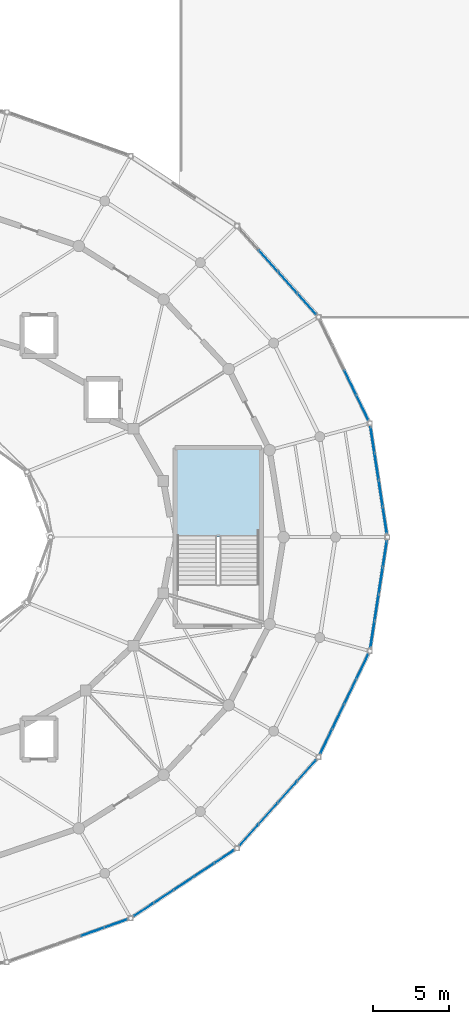
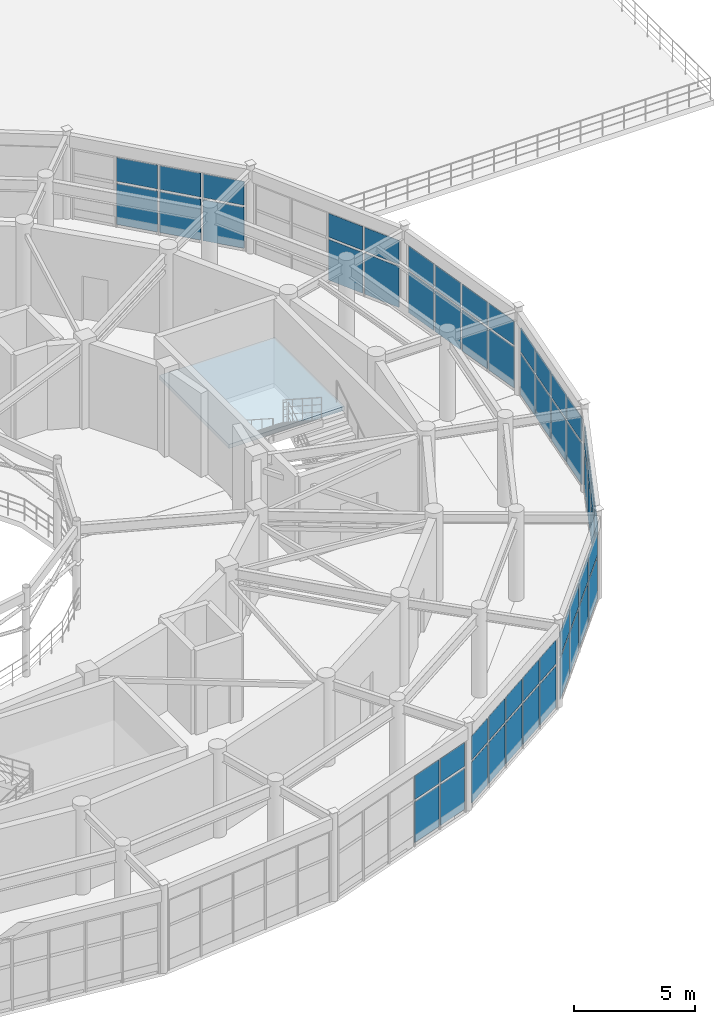
# One storey, part 35 of 60: 56 plates, 1 slab, 9 elements without a shape of their own.
"""IFC4 building model written with IfcOpenShell, lengths in metres."""

from ifc_helpers import new_model, si_unit, direction, frame, origin, origin_2d, place, context, subcontext, project, spatial, polyline, rectangle, outline, extrude, material, layer, layer_set, type_object, element, aggregate, save


model = new_model("IFC4")

# Units and contexts
model_context = context("Model", 3, precision=1e-05, world=origin(), true_north=direction((0.0, 1.0)))
body_context = subcontext(model_context, "Body", "Model", "MODEL_VIEW")
ifc_project = project(units=[si_unit("LENGTHUNIT", "METRE"), si_unit("AREAUNIT", "SQUARE_METRE"), si_unit("VOLUMEUNIT", "CUBIC_METRE"), si_unit("PLANEANGLEUNIT", "RADIAN"), si_unit("MASSUNIT", "GRAM", prefix="KILO")], contexts=[model_context])

# Site, building, storey
site_placement = place(None, origin())
site = spatial("IfcSite", under=ifc_project, at=site_placement, CompositionType="ELEMENT")
building_placement = place(site_placement, origin())
building = spatial("IfcBuilding", under=site, at=building_placement, Name="Cinderbank Siding Concert Hall", CompositionType="ELEMENT")
storey_placement = place(building_placement, frame((0.0, 0.0, 14.699951171875)))
storey = spatial("IfcBuildingStorey", under=building, at=storey_placement, Name="L04", CompositionType="ELEMENT", Elevation=14.699951171875)

# Curtain wall, plates
ifc_material_1 = material(Name="Anodised aluminium alloy 6063-T6", Category="aluminium")
curtain_wall_type_1 = type_object("IfcCurtainWallType", Name="CW-01 Unitised Acoustic Curtain Wall 8200x4400", PredefinedType="NOTDEFINED", material=ifc_material_1)
curtain_wall_1_placement = place(storey_placement, origin())
curtain_wall_1 = element("IfcCurtainWall", 1, at=curtain_wall_1_placement, inside=storey, type_object=curtain_wall_type_1, Name="L04 Curtain Wall CW-01 #49", PredefinedType="NOTDEFINED")
ifc_material_2 = material(Name="Double-glazed laminated acoustic glass", Category="glass")
ifc_layer_1 = layer(ifc_material_2, 0.035888671875)
ifc_layer_set_1 = layer_set([ifc_layer_1], Name="Double-glazed laminated acoustic glass")
plate_type_1 = type_object("IfcPlateType", Name="CP-02 Glazed Curtain Panel 1800x1900", PredefinedType="CURTAIN_PANEL", material=ifc_layer_set_1)
plate_1_placement = place(storey_placement, frame((155.430908203125, 45.10009765625, 0.1201171875), z_axis=(0.0, 0.0, 1.0), x_axis=(-0.151815048473, 0.988408918949, 0.0)))
plate_1 = element("IfcPlate", 2, at=plate_1_placement, type_object=plate_type_1, Name="CW-L04-049 Glazed Panel 0-0", PredefinedType="CURTAIN_PANEL", context=body_context, shape_type="SweptSolid", body=[
    extrude(rectangle(XDim=1.671875, YDim=0.035888671875, at=origin_2d()), origin(), (0.0, 0.0, 1.0), 2.0625),
])
plate_2_placement = place(storey_placement, frame((155.430908203125, 45.10009765625, 2.302734375), z_axis=(0.0, 0.0, 1.0), x_axis=(-0.151815048473, 0.988408918949, 0.0)))
plate_2 = element("IfcPlate", 3, at=plate_2_placement, type_object=plate_type_1, Name="CW-L04-049 Glazed Panel 0-1", PredefinedType="CURTAIN_PANEL", context=body_context, shape_type="SweptSolid", body=[
    extrude(rectangle(XDim=1.671875, YDim=0.035888671875, at=origin_2d()), origin(), (0.0, 0.0, 1.0), 1.194580078125),
])
plate_3_placement = place(storey_placement, frame((155.162109375, 46.851318359375, 0.1201171875), z_axis=(0.0, 0.0, 1.0), x_axis=(-0.151815048473, 0.988408918949, 0.0)))
plate_3 = element("IfcPlate", 4, at=plate_3_placement, type_object=plate_type_1, Name="CW-L04-049 Glazed Panel 1-0", PredefinedType="CURTAIN_PANEL", context=body_context, shape_type="SweptSolid", body=[
    extrude(rectangle(XDim=1.671875, YDim=0.035888671875, at=origin_2d()), origin(), (0.0, 0.0, 1.0), 2.0625),
])
plate_4_placement = place(storey_placement, frame((155.162109375, 46.851318359375, 2.302734375), z_axis=(0.0, 0.0, 1.0), x_axis=(-0.151815048473, 0.988408918949, 0.0)))
plate_4 = element("IfcPlate", 5, at=plate_4_placement, type_object=plate_type_1, Name="CW-L04-049 Glazed Panel 1-1", PredefinedType="CURTAIN_PANEL", context=body_context, shape_type="SweptSolid", body=[
    extrude(rectangle(XDim=1.671875, YDim=0.035888671875, at=origin_2d()), origin(), (0.0, 0.0, 1.0), 1.194580078125),
])
plate_5_placement = place(storey_placement, frame((154.89306640625, 48.602783203125, 0.1201171875), z_axis=(0.0, 0.0, 1.0), x_axis=(-0.151815048473, 0.988408918949, 0.0)))
plate_5 = element("IfcPlate", 6, at=plate_5_placement, type_object=plate_type_1, Name="CW-L04-049 Glazed Panel 2-0", PredefinedType="CURTAIN_PANEL", context=body_context, shape_type="SweptSolid", body=[
    extrude(rectangle(XDim=1.671875, YDim=0.035888671875, at=origin_2d()), origin(), (0.0, 0.0, 1.0), 2.0625),
])
plate_6_placement = place(storey_placement, frame((154.89306640625, 48.602783203125, 2.302734375), z_axis=(0.0, 0.0, 1.0), x_axis=(-0.151815048473, 0.988408918949, 0.0)))
plate_6 = element("IfcPlate", 7, at=plate_6_placement, type_object=plate_type_1, Name="CW-L04-049 Glazed Panel 2-1", PredefinedType="CURTAIN_PANEL", context=body_context, shape_type="SweptSolid", body=[
    extrude(rectangle(XDim=1.671875, YDim=0.035888671875, at=origin_2d()), origin(), (0.0, 0.0, 1.0), 1.194580078125),
])
plate_7_placement = place(storey_placement, frame((154.6240234375, 50.35400390625, 0.1201171875), z_axis=(0.0, 0.0, 1.0), x_axis=(-0.151815048473, 0.988408918949, 0.0)))
plate_7 = element("IfcPlate", 8, at=plate_7_placement, type_object=plate_type_1, Name="CW-L04-049 Glazed Panel 3-0", PredefinedType="CURTAIN_PANEL", context=body_context, shape_type="SweptSolid", body=[
    extrude(rectangle(XDim=1.671875, YDim=0.035888671875, at=origin_2d()), origin(), (0.0, 0.0, 1.0), 2.0625),
])
plate_8_placement = place(storey_placement, frame((154.6240234375, 50.35400390625, 2.302734375), z_axis=(0.0, 0.0, 1.0), x_axis=(-0.151815048473, 0.988408918949, 0.0)))
plate_8 = element("IfcPlate", 9, at=plate_8_placement, type_object=plate_type_1, Name="CW-L04-049 Glazed Panel 3-1", PredefinedType="CURTAIN_PANEL", context=body_context, shape_type="SweptSolid", body=[
    extrude(rectangle(XDim=1.671875, YDim=0.035888671875, at=origin_2d()), origin(), (0.0, 0.0, 1.0), 1.194580078125),
])
aggregate(curtain_wall_1, [plate_1, plate_2, plate_3, plate_4, plate_5, plate_6, plate_7, plate_8])

curtain_wall_type_2 = type_object("IfcCurtainWallType", Name="CW-02 Unitised Acoustic Curtain Wall 7800x4400", PredefinedType="NOTDEFINED", material=ifc_material_1)
curtain_wall_2_placement = place(storey_placement, origin())
curtain_wall_2 = element("IfcCurtainWall", 10, at=curtain_wall_2_placement, inside=storey, type_object=curtain_wall_type_2, Name="L04 Curtain Wall CW-02 #50", PredefinedType="NOTDEFINED")
ifc_layer_2 = layer(ifc_material_2, 0.035888671875)
ifc_layer_set_2 = layer_set([ifc_layer_2], Name="Double-glazed laminated acoustic glass")
plate_type_2 = type_object("IfcPlateType", Name="CP-03 Glazed Curtain Panel 1600x2100", PredefinedType="CURTAIN_PANEL", material=ifc_layer_set_2)
plate_9_placement = place(storey_placement, frame((153.96142578125, 52.4755859375, 0.1201171875), z_axis=(0.0, 0.0, 1.0), x_axis=(-0.435102109714, 0.900381116041, 0.0)))
plate_9 = element("IfcPlate", 11, at=plate_9_placement, type_object=plate_type_2, Name="CW-L04-050 Glazed Panel 0-0", PredefinedType="CURTAIN_PANEL", context=body_context, shape_type="SweptSolid", body=[
    extrude(rectangle(XDim=1.715087890625, YDim=0.035888671875, at=origin_2d()), origin(), (0.0, 0.0, 1.0), 2.0625),
])
plate_10_placement = place(storey_placement, frame((153.96142578125, 52.4755859375, 2.302734375), z_axis=(0.0, 0.0, 1.0), x_axis=(-0.435102109714, 0.900381116041, 0.0)))
plate_10 = element("IfcPlate", 12, at=plate_10_placement, type_object=plate_type_2, Name="CW-L04-050 Glazed Panel 0-1", PredefinedType="CURTAIN_PANEL", context=body_context, shape_type="SweptSolid", body=[
    extrude(rectangle(XDim=1.715087890625, YDim=0.035888671875, at=origin_2d()), origin(), (0.0, 0.0, 1.0), 1.194580078125),
])
plate_11_placement = place(storey_placement, frame((153.171630859375, 54.10986328125, 0.1201171875), z_axis=(0.0, 0.0, 1.0), x_axis=(-0.435102109714, 0.900381116041, 0.0)))
plate_11 = element("IfcPlate", 13, at=plate_11_placement, type_object=plate_type_2, Name="CW-L04-050 Glazed Panel 1-0", PredefinedType="CURTAIN_PANEL", context=body_context, shape_type="SweptSolid", body=[
    extrude(rectangle(XDim=1.715087890625, YDim=0.035888671875, at=origin_2d()), origin(), (0.0, 0.0, 1.0), 2.0625),
])
plate_12_placement = place(storey_placement, frame((153.171630859375, 54.10986328125, 2.302734375), z_axis=(0.0, 0.0, 1.0), x_axis=(-0.435102109714, 0.900381116041, 0.0)))
plate_12 = element("IfcPlate", 14, at=plate_12_placement, type_object=plate_type_2, Name="CW-L04-050 Glazed Panel 1-1", PredefinedType="CURTAIN_PANEL", context=body_context, shape_type="SweptSolid", body=[
    extrude(rectangle(XDim=1.715087890625, YDim=0.035888671875, at=origin_2d()), origin(), (0.0, 0.0, 1.0), 1.194580078125),
])
aggregate(curtain_wall_2, [plate_9, plate_10, plate_11, plate_12])

curtain_wall_type_3 = type_object("IfcCurtainWallType", Name="CW-03 Unitised Acoustic Curtain Wall 7400x4400", PredefinedType="NOTDEFINED", material=ifc_material_1)
curtain_wall_3_placement = place(storey_placement, origin())
curtain_wall_3 = element("IfcCurtainWall", 15, at=curtain_wall_3_placement, inside=storey, type_object=curtain_wall_type_3, Name="L04 Curtain Wall CW-03 #51", PredefinedType="NOTDEFINED")
ifc_layer_3 = layer(ifc_material_2, 0.031982421875)
ifc_layer_set_3 = layer_set([ifc_layer_3], Name="Double-glazed laminated acoustic glass")
plate_type_3 = type_object("IfcPlateType", Name="CP-04 Glazed Curtain Panel 1400x2000", PredefinedType="CURTAIN_PANEL", material=ifc_layer_set_3)
plate_13_placement = place(storey_placement, frame((150.3173828125, 59.2724609375, 0.1201171875), z_axis=(0.0, 0.0, 1.0), x_axis=(-0.666993465338, 0.745063565877, 0.0)))
plate_13 = element("IfcPlate", 16, at=plate_13_placement, type_object=plate_type_3, Name="CW-L04-051 Glazed Panel 0-0", PredefinedType="CURTAIN_PANEL", context=body_context, shape_type="SweptSolid", body=[
    extrude(rectangle(XDim=1.787841796875, YDim=0.035888671875, at=origin_2d()), origin(), (0.0, 0.0, 1.0), 2.0625),
])
plate_14_placement = place(storey_placement, frame((150.3173828125, 59.2724609375, 2.302734375), z_axis=(0.0, 0.0, 1.0), x_axis=(-0.666993465338, 0.745063565877, 0.0)))
plate_14 = element("IfcPlate", 17, at=plate_14_placement, type_object=plate_type_3, Name="CW-L04-051 Glazed Panel 0-1", PredefinedType="CURTAIN_PANEL", context=body_context, shape_type="SweptSolid", body=[
    extrude(rectangle(XDim=1.787841796875, YDim=0.035888671875, at=origin_2d()), origin(), (0.0, 0.0, 1.0), 1.194580078125),
])
plate_15_placement = place(storey_placement, frame((149.058349609375, 60.678955078125, 0.1201171875), z_axis=(0.0, 0.0, 1.0), x_axis=(-0.666993465338, 0.745063565877, 0.0)))
plate_15 = element("IfcPlate", 18, at=plate_15_placement, type_object=plate_type_3, Name="CW-L04-051 Glazed Panel 1-0", PredefinedType="CURTAIN_PANEL", context=body_context, shape_type="SweptSolid", body=[
    extrude(rectangle(XDim=1.787841796875, YDim=0.035888671875, at=origin_2d()), origin(), (0.0, 0.0, 1.0), 2.0625),
])
plate_16_placement = place(storey_placement, frame((149.058349609375, 60.678955078125, 2.302734375), z_axis=(0.0, 0.0, 1.0), x_axis=(-0.666993465338, 0.745063565877, 0.0)))
plate_16 = element("IfcPlate", 19, at=plate_16_placement, type_object=plate_type_3, Name="CW-L04-051 Glazed Panel 1-1", PredefinedType="CURTAIN_PANEL", context=body_context, shape_type="SweptSolid", body=[
    extrude(rectangle(XDim=1.787841796875, YDim=0.035888671875, at=origin_2d()), origin(), (0.0, 0.0, 1.0), 1.194580078125),
])
plate_17_placement = place(storey_placement, frame((147.799072265625, 62.085693359375, 0.1201171875), z_axis=(0.0, 0.0, 1.0), x_axis=(-0.666993465338, 0.745063565877, 0.0)))
plate_17 = element("IfcPlate", 20, at=plate_17_placement, type_object=plate_type_3, Name="CW-L04-051 Glazed Panel 2-0", PredefinedType="CURTAIN_PANEL", context=body_context, shape_type="SweptSolid", body=[
    extrude(rectangle(XDim=1.787841796875, YDim=0.035888671875, at=origin_2d()), origin(), (0.0, 0.0, 1.0), 2.0625),
])
plate_18_placement = place(storey_placement, frame((147.799072265625, 62.085693359375, 2.302734375), z_axis=(0.0, 0.0, 1.0), x_axis=(-0.666993465338, 0.745063565877, 0.0)))
plate_18 = element("IfcPlate", 21, at=plate_18_placement, type_object=plate_type_3, Name="CW-L04-051 Glazed Panel 2-1", PredefinedType="CURTAIN_PANEL", context=body_context, shape_type="SweptSolid", body=[
    extrude(rectangle(XDim=1.787841796875, YDim=0.035888671875, at=origin_2d()), origin(), (0.0, 0.0, 1.0), 1.194580078125),
])
aggregate(curtain_wall_3, [plate_13, plate_14, plate_15, plate_16, plate_17, plate_18])

curtain_wall_type_4 = type_object("IfcCurtainWallType", Name="CW-08 Unitised Acoustic Curtain Wall 6400x3800", PredefinedType="NOTDEFINED", material=ifc_material_1)
curtain_wall_4_placement = place(storey_placement, origin())
curtain_wall_4 = element("IfcCurtainWall", 22, at=curtain_wall_4_placement, inside=storey, type_object=curtain_wall_type_4, Name="L04 Curtain Wall CW-08 #67", PredefinedType="NOTDEFINED")
plate_19_placement = place(storey_placement, frame((136.283203125, 18.1650390625, 0.1201171875), z_axis=(0.0, 0.0, 1.0), x_axis=(0.942365662238, 0.334584755532, 0.0)))
plate_19 = element("IfcPlate", 23, at=plate_19_placement, type_object=plate_type_3, Name="CW-L04-067 Glazed Panel 3-0", PredefinedType="CURTAIN_PANEL", context=body_context, shape_type="SweptSolid", body=[
    extrude(rectangle(XDim=1.529052734375, YDim=0.035888671875, at=origin_2d()), origin(), (0.0, 0.0, 1.0), 2.0625),
])
plate_20_placement = place(storey_placement, frame((136.283203125, 18.1650390625, 2.302734375), z_axis=(0.0, 0.0, 1.0), x_axis=(0.942365662238, 0.334584755532, 0.0)))
plate_20 = element("IfcPlate", 24, at=plate_20_placement, type_object=plate_type_3, Name="CW-L04-067 Glazed Panel 3-1", PredefinedType="CURTAIN_PANEL", context=body_context, shape_type="SweptSolid", body=[
    extrude(rectangle(XDim=1.529052734375, YDim=0.035888671875, at=origin_2d()), origin(), (0.0, 0.0, 1.0), 1.194580078125),
])
plate_21_placement = place(storey_placement, frame((137.818603515625, 18.7099609375, 0.1201171875), z_axis=(0.0, 0.0, 1.0), x_axis=(0.942365662238, 0.334584755532, 0.0)))
plate_21 = element("IfcPlate", 25, at=plate_21_placement, type_object=plate_type_3, Name="CW-L04-067 Glazed Panel 4-0", PredefinedType="CURTAIN_PANEL", context=body_context, shape_type="SweptSolid", body=[
    extrude(rectangle(XDim=1.529052734375, YDim=0.035888671875, at=origin_2d()), origin(), (0.0, 0.0, 1.0), 2.0625),
])
plate_22_placement = place(storey_placement, frame((137.818603515625, 18.7099609375, 2.302734375), z_axis=(0.0, 0.0, 1.0), x_axis=(0.942365662238, 0.334584755532, 0.0)))
plate_22 = element("IfcPlate", 26, at=plate_22_placement, type_object=plate_type_3, Name="CW-L04-067 Glazed Panel 4-1", PredefinedType="CURTAIN_PANEL", context=body_context, shape_type="SweptSolid", body=[
    extrude(rectangle(XDim=1.529052734375, YDim=0.035888671875, at=origin_2d()), origin(), (0.0, 0.0, 1.0), 1.194580078125),
])
aggregate(curtain_wall_4, [plate_19, plate_20, plate_21, plate_22])

curtain_wall_type_5 = type_object("IfcCurtainWallType", Name="CW-09 Unitised Acoustic Curtain Wall 8000x3500", PredefinedType="NOTDEFINED", material=ifc_material_1)
curtain_wall_5_placement = place(storey_placement, origin())
curtain_wall_5 = element("IfcCurtainWall", 27, at=curtain_wall_5_placement, inside=storey, type_object=curtain_wall_type_5, Name="L04 Curtain Wall CW-09 #68", PredefinedType="NOTDEFINED")
ifc_layer_4 = layer(ifc_material_2, 0.031982421875)
ifc_layer_set_4 = layer_set([ifc_layer_4], Name="Double-glazed laminated acoustic glass")
plate_type_4 = type_object("IfcPlateType", Name="CP-05 Glazed Curtain Panel 1200x1800", PredefinedType="CURTAIN_PANEL", material=ifc_layer_set_4)
plate_23_placement = place(storey_placement, frame((139.647705078125, 19.615966796875, 0.1201171875), z_axis=(0.0, 0.0, 1.0), x_axis=(0.835491932304, 0.549502712509, 0.0)))
plate_23 = element("IfcPlate", 28, at=plate_23_placement, type_object=plate_type_4, Name="CW-L04-068 Glazed Panel 0-0", PredefinedType="CURTAIN_PANEL", context=body_context, shape_type="SweptSolid", body=[
    extrude(rectangle(XDim=1.47509765625, YDim=0.035888671875, at=origin_2d()), origin(), (0.0, 0.0, 1.0), 2.0625),
])
plate_24_placement = place(storey_placement, frame((139.647705078125, 19.615966796875, 2.302734375), z_axis=(0.0, 0.0, 1.0), x_axis=(0.835491932304, 0.549502712509, 0.0)))
plate_24 = element("IfcPlate", 29, at=plate_24_placement, type_object=plate_type_4, Name="CW-L04-068 Glazed Panel 0-1", PredefinedType="CURTAIN_PANEL", context=body_context, shape_type="SweptSolid", body=[
    extrude(rectangle(XDim=1.47509765625, YDim=0.035888671875, at=origin_2d()), origin(), (0.0, 0.0, 1.0), 1.194580078125),
])
plate_25_placement = place(storey_placement, frame((140.96337890625, 20.4814453125, 0.1201171875), z_axis=(0.0, 0.0, 1.0), x_axis=(0.835491932304, 0.549502712509, 0.0)))
plate_25 = element("IfcPlate", 30, at=plate_25_placement, type_object=plate_type_4, Name="CW-L04-068 Glazed Panel 1-0", PredefinedType="CURTAIN_PANEL", context=body_context, shape_type="SweptSolid", body=[
    extrude(rectangle(XDim=1.47509765625, YDim=0.035888671875, at=origin_2d()), origin(), (0.0, 0.0, 1.0), 2.0625),
])
plate_26_placement = place(storey_placement, frame((140.96337890625, 20.4814453125, 2.302734375), z_axis=(0.0, 0.0, 1.0), x_axis=(0.835491932304, 0.549502712509, 0.0)))
plate_26 = element("IfcPlate", 31, at=plate_26_placement, type_object=plate_type_4, Name="CW-L04-068 Glazed Panel 1-1", PredefinedType="CURTAIN_PANEL", context=body_context, shape_type="SweptSolid", body=[
    extrude(rectangle(XDim=1.47509765625, YDim=0.035888671875, at=origin_2d()), origin(), (0.0, 0.0, 1.0), 1.194580078125),
])
plate_27_placement = place(storey_placement, frame((142.279296875, 21.346923828125, 0.1201171875), z_axis=(0.0, 0.0, 1.0), x_axis=(0.835491932304, 0.549502712509, 0.0)))
plate_27 = element("IfcPlate", 32, at=plate_27_placement, type_object=plate_type_4, Name="CW-L04-068 Glazed Panel 2-0", PredefinedType="CURTAIN_PANEL", context=body_context, shape_type="SweptSolid", body=[
    extrude(rectangle(XDim=1.47509765625, YDim=0.035888671875, at=origin_2d()), origin(), (0.0, 0.0, 1.0), 2.0625),
])
plate_28_placement = place(storey_placement, frame((142.279296875, 21.346923828125, 2.302734375), z_axis=(0.0, 0.0, 1.0), x_axis=(0.835491932304, 0.549502712509, 0.0)))
plate_28 = element("IfcPlate", 33, at=plate_28_placement, type_object=plate_type_4, Name="CW-L04-068 Glazed Panel 2-1", PredefinedType="CURTAIN_PANEL", context=body_context, shape_type="SweptSolid", body=[
    extrude(rectangle(XDim=1.47509765625, YDim=0.035888671875, at=origin_2d()), origin(), (0.0, 0.0, 1.0), 1.194580078125),
])
plate_29_placement = place(storey_placement, frame((143.59521484375, 22.21240234375, 0.1201171875), z_axis=(0.0, 0.0, 1.0), x_axis=(0.835491932304, 0.549502712509, 0.0)))
plate_29 = element("IfcPlate", 34, at=plate_29_placement, type_object=plate_type_4, Name="CW-L04-068 Glazed Panel 3-0", PredefinedType="CURTAIN_PANEL", context=body_context, shape_type="SweptSolid", body=[
    extrude(rectangle(XDim=1.47509765625, YDim=0.035888671875, at=origin_2d()), origin(), (0.0, 0.0, 1.0), 2.0625),
])
plate_30_placement = place(storey_placement, frame((143.59521484375, 22.21240234375, 2.302734375), z_axis=(0.0, 0.0, 1.0), x_axis=(0.835491932304, 0.549502712509, 0.0)))
plate_30 = element("IfcPlate", 35, at=plate_30_placement, type_object=plate_type_4, Name="CW-L04-068 Glazed Panel 3-1", PredefinedType="CURTAIN_PANEL", context=body_context, shape_type="SweptSolid", body=[
    extrude(rectangle(XDim=1.47509765625, YDim=0.035888671875, at=origin_2d()), origin(), (0.0, 0.0, 1.0), 1.194580078125),
])
plate_31_placement = place(storey_placement, frame((144.9111328125, 23.077880859375, 0.1201171875), z_axis=(0.0, 0.0, 1.0), x_axis=(0.835491932304, 0.549502712509, 0.0)))
plate_31 = element("IfcPlate", 36, at=plate_31_placement, type_object=plate_type_4, Name="CW-L04-068 Glazed Panel 4-0", PredefinedType="CURTAIN_PANEL", context=body_context, shape_type="SweptSolid", body=[
    extrude(rectangle(XDim=1.47509765625, YDim=0.035888671875, at=origin_2d()), origin(), (0.0, 0.0, 1.0), 2.0625),
])
plate_32_placement = place(storey_placement, frame((144.9111328125, 23.077880859375, 2.302734375), z_axis=(0.0, 0.0, 1.0), x_axis=(0.835491932304, 0.549502712509, 0.0)))
plate_32 = element("IfcPlate", 37, at=plate_32_placement, type_object=plate_type_4, Name="CW-L04-068 Glazed Panel 4-1", PredefinedType="CURTAIN_PANEL", context=body_context, shape_type="SweptSolid", body=[
    extrude(rectangle(XDim=1.47509765625, YDim=0.035888671875, at=origin_2d()), origin(), (0.0, 0.0, 1.0), 1.194580078125),
])
aggregate(curtain_wall_5, [plate_23, plate_24, plate_25, plate_26, plate_27, plate_28, plate_29, plate_30, plate_31, plate_32])

curtain_wall_type_6 = type_object("IfcCurtainWallType", Name="CW-10 Unitised Acoustic Curtain Wall 7200x3500", PredefinedType="NOTDEFINED", material=ifc_material_1)
curtain_wall_6_placement = place(storey_placement, origin())
curtain_wall_6 = element("IfcCurtainWall", 38, at=curtain_wall_6_placement, inside=storey, type_object=curtain_wall_type_6, Name="L04 Curtain Wall CW-10 #69", PredefinedType="NOTDEFINED")
ifc_layer_5 = layer(ifc_material_2, 0.0380859375)
ifc_layer_set_5 = layer_set([ifc_layer_5], Name="Double-glazed laminated acoustic glass")
plate_type_5 = type_object("IfcPlateType", Name="CP-06 Glazed Curtain Panel 2100x1600", PredefinedType="CURTAIN_PANEL", material=ifc_layer_set_5)
plate_33_placement = place(storey_placement, frame((146.539794921875, 24.5078125, 0.1201171875), z_axis=(0.0, 0.0, 1.0), x_axis=(0.666993465338, 0.745063565877, 0.0)))
plate_33 = element("IfcPlate", 39, at=plate_33_placement, type_object=plate_type_5, Name="CW-L04-069 Glazed Panel 0-0", PredefinedType="CURTAIN_PANEL", context=body_context, shape_type="SweptSolid", body=[
    extrude(rectangle(XDim=1.787841796875, YDim=0.035888671875, at=origin_2d()), origin(), (0.0, 0.0, 1.0), 2.0625),
])
plate_34_placement = place(storey_placement, frame((146.539794921875, 24.5078125, 2.302734375), z_axis=(0.0, 0.0, 1.0), x_axis=(0.666993465338, 0.745063565877, 0.0)))
plate_34 = element("IfcPlate", 40, at=plate_34_placement, type_object=plate_type_5, Name="CW-L04-069 Glazed Panel 0-1", PredefinedType="CURTAIN_PANEL", context=body_context, shape_type="SweptSolid", body=[
    extrude(rectangle(XDim=1.787841796875, YDim=0.035888671875, at=origin_2d()), origin(), (0.0, 0.0, 1.0), 1.194580078125),
])
plate_35_placement = place(storey_placement, frame((147.799072265625, 25.914306640625, 0.1201171875), z_axis=(0.0, 0.0, 1.0), x_axis=(0.666993465338, 0.745063565877, 0.0)))
plate_35 = element("IfcPlate", 41, at=plate_35_placement, type_object=plate_type_5, Name="CW-L04-069 Glazed Panel 1-0", PredefinedType="CURTAIN_PANEL", context=body_context, shape_type="SweptSolid", body=[
    extrude(rectangle(XDim=1.787841796875, YDim=0.035888671875, at=origin_2d()), origin(), (0.0, 0.0, 1.0), 2.0625),
])
plate_36_placement = place(storey_placement, frame((147.799072265625, 25.914306640625, 2.302734375), z_axis=(0.0, 0.0, 1.0), x_axis=(0.666993465338, 0.745063565877, 0.0)))
plate_36 = element("IfcPlate", 42, at=plate_36_placement, type_object=plate_type_5, Name="CW-L04-069 Glazed Panel 1-1", PredefinedType="CURTAIN_PANEL", context=body_context, shape_type="SweptSolid", body=[
    extrude(rectangle(XDim=1.787841796875, YDim=0.035888671875, at=origin_2d()), origin(), (0.0, 0.0, 1.0), 1.194580078125),
])
plate_37_placement = place(storey_placement, frame((149.058349609375, 27.321044921875, 0.1201171875), z_axis=(0.0, 0.0, 1.0), x_axis=(0.666993465338, 0.745063565877, 0.0)))
plate_37 = element("IfcPlate", 43, at=plate_37_placement, type_object=plate_type_5, Name="CW-L04-069 Glazed Panel 2-0", PredefinedType="CURTAIN_PANEL", context=body_context, shape_type="SweptSolid", body=[
    extrude(rectangle(XDim=1.787841796875, YDim=0.035888671875, at=origin_2d()), origin(), (0.0, 0.0, 1.0), 2.0625),
])
plate_38_placement = place(storey_placement, frame((149.058349609375, 27.321044921875, 2.302734375), z_axis=(0.0, 0.0, 1.0), x_axis=(0.666993465338, 0.745063565877, 0.0)))
plate_38 = element("IfcPlate", 44, at=plate_38_placement, type_object=plate_type_5, Name="CW-L04-069 Glazed Panel 2-1", PredefinedType="CURTAIN_PANEL", context=body_context, shape_type="SweptSolid", body=[
    extrude(rectangle(XDim=1.787841796875, YDim=0.035888671875, at=origin_2d()), origin(), (0.0, 0.0, 1.0), 1.194580078125),
])
plate_39_placement = place(storey_placement, frame((150.3173828125, 28.7275390625, 0.1201171875), z_axis=(0.0, 0.0, 1.0), x_axis=(0.666993465338, 0.745063565877, 0.0)))
plate_39 = element("IfcPlate", 45, at=plate_39_placement, type_object=plate_type_5, Name="CW-L04-069 Glazed Panel 3-0", PredefinedType="CURTAIN_PANEL", context=body_context, shape_type="SweptSolid", body=[
    extrude(rectangle(XDim=1.787841796875, YDim=0.035888671875, at=origin_2d()), origin(), (0.0, 0.0, 1.0), 2.0625),
])
plate_40_placement = place(storey_placement, frame((150.3173828125, 28.7275390625, 2.302734375), z_axis=(0.0, 0.0, 1.0), x_axis=(0.666993465338, 0.745063565877, 0.0)))
plate_40 = element("IfcPlate", 46, at=plate_40_placement, type_object=plate_type_5, Name="CW-L04-069 Glazed Panel 3-1", PredefinedType="CURTAIN_PANEL", context=body_context, shape_type="SweptSolid", body=[
    extrude(rectangle(XDim=1.787841796875, YDim=0.035888671875, at=origin_2d()), origin(), (0.0, 0.0, 1.0), 1.194580078125),
])
aggregate(curtain_wall_6, [plate_33, plate_34, plate_35, plate_36, plate_37, plate_38, plate_39, plate_40])

curtain_wall_type_7 = type_object("IfcCurtainWallType", Name="CW-11 Unitised Acoustic Curtain Wall 6600x3500", PredefinedType="NOTDEFINED", material=ifc_material_1)
curtain_wall_7_placement = place(storey_placement, origin())
curtain_wall_7 = element("IfcCurtainWall", 47, at=curtain_wall_7_placement, inside=storey, type_object=curtain_wall_type_7, Name="L04 Curtain Wall CW-11 #70", PredefinedType="NOTDEFINED")
ifc_layer_6 = layer(ifc_material_2, 0.033935546875)
ifc_layer_set_6 = layer_set([ifc_layer_6], Name="Double-glazed laminated acoustic glass")
plate_type_6 = type_object("IfcPlateType", Name="CP-07 Glazed Curtain Panel 1500x1750", PredefinedType="CURTAIN_PANEL", material=ifc_layer_set_6)
plate_41_placement = place(storey_placement, frame((151.592041015625, 30.62158203125, 0.1201171875), z_axis=(0.0, 0.0, 1.0), x_axis=(0.435102109714, 0.900381116041, 0.0)))
plate_41 = element("IfcPlate", 48, at=plate_41_placement, type_object=plate_type_6, Name="CW-L04-070 Glazed Panel 0-0", PredefinedType="CURTAIN_PANEL", context=body_context, shape_type="SweptSolid", body=[
    extrude(rectangle(XDim=1.715087890625, YDim=0.035888671875, at=origin_2d()), origin(), (0.0, 0.0, 1.0), 2.0625),
])
plate_42_placement = place(storey_placement, frame((151.592041015625, 30.62158203125, 2.302734375), z_axis=(0.0, 0.0, 1.0), x_axis=(0.435102109714, 0.900381116041, 0.0)))
plate_42 = element("IfcPlate", 49, at=plate_42_placement, type_object=plate_type_6, Name="CW-L04-070 Glazed Panel 0-1", PredefinedType="CURTAIN_PANEL", context=body_context, shape_type="SweptSolid", body=[
    extrude(rectangle(XDim=1.715087890625, YDim=0.035888671875, at=origin_2d()), origin(), (0.0, 0.0, 1.0), 1.194580078125),
])
plate_43_placement = place(storey_placement, frame((152.3818359375, 32.255859375, 0.1201171875), z_axis=(0.0, 0.0, 1.0), x_axis=(0.435102109714, 0.900381116041, 0.0)))
plate_43 = element("IfcPlate", 50, at=plate_43_placement, type_object=plate_type_6, Name="CW-L04-070 Glazed Panel 1-0", PredefinedType="CURTAIN_PANEL", context=body_context, shape_type="SweptSolid", body=[
    extrude(rectangle(XDim=1.715087890625, YDim=0.035888671875, at=origin_2d()), origin(), (0.0, 0.0, 1.0), 2.0625),
])
plate_44_placement = place(storey_placement, frame((152.3818359375, 32.255859375, 2.302734375), z_axis=(0.0, 0.0, 1.0), x_axis=(0.435102109714, 0.900381116041, 0.0)))
plate_44 = element("IfcPlate", 51, at=plate_44_placement, type_object=plate_type_6, Name="CW-L04-070 Glazed Panel 1-1", PredefinedType="CURTAIN_PANEL", context=body_context, shape_type="SweptSolid", body=[
    extrude(rectangle(XDim=1.715087890625, YDim=0.035888671875, at=origin_2d()), origin(), (0.0, 0.0, 1.0), 1.194580078125),
])
plate_45_placement = place(storey_placement, frame((153.171630859375, 33.89013671875, 0.1201171875), z_axis=(0.0, 0.0, 1.0), x_axis=(0.435102109714, 0.900381116041, 0.0)))
plate_45 = element("IfcPlate", 52, at=plate_45_placement, type_object=plate_type_6, Name="CW-L04-070 Glazed Panel 2-0", PredefinedType="CURTAIN_PANEL", context=body_context, shape_type="SweptSolid", body=[
    extrude(rectangle(XDim=1.715087890625, YDim=0.035888671875, at=origin_2d()), origin(), (0.0, 0.0, 1.0), 2.0625),
])
plate_46_placement = place(storey_placement, frame((153.171630859375, 33.89013671875, 2.302734375), z_axis=(0.0, 0.0, 1.0), x_axis=(0.435102109714, 0.900381116041, 0.0)))
plate_46 = element("IfcPlate", 53, at=plate_46_placement, type_object=plate_type_6, Name="CW-L04-070 Glazed Panel 2-1", PredefinedType="CURTAIN_PANEL", context=body_context, shape_type="SweptSolid", body=[
    extrude(rectangle(XDim=1.715087890625, YDim=0.035888671875, at=origin_2d()), origin(), (0.0, 0.0, 1.0), 1.194580078125),
])
plate_47_placement = place(storey_placement, frame((153.96142578125, 35.5244140625, 0.1201171875), z_axis=(0.0, 0.0, 1.0), x_axis=(0.435102109714, 0.900381116041, 0.0)))
plate_47 = element("IfcPlate", 54, at=plate_47_placement, type_object=plate_type_6, Name="CW-L04-070 Glazed Panel 3-0", PredefinedType="CURTAIN_PANEL", context=body_context, shape_type="SweptSolid", body=[
    extrude(rectangle(XDim=1.715087890625, YDim=0.035888671875, at=origin_2d()), origin(), (0.0, 0.0, 1.0), 2.0625),
])
plate_48_placement = place(storey_placement, frame((153.96142578125, 35.5244140625, 2.302734375), z_axis=(0.0, 0.0, 1.0), x_axis=(0.435102109714, 0.900381116041, 0.0)))
plate_48 = element("IfcPlate", 55, at=plate_48_placement, type_object=plate_type_6, Name="CW-L04-070 Glazed Panel 3-1", PredefinedType="CURTAIN_PANEL", context=body_context, shape_type="SweptSolid", body=[
    extrude(rectangle(XDim=1.715087890625, YDim=0.035888671875, at=origin_2d()), origin(), (0.0, 0.0, 1.0), 1.194580078125),
])
aggregate(curtain_wall_7, [plate_41, plate_42, plate_43, plate_44, plate_45, plate_46, plate_47, plate_48])

curtain_wall_type_8 = type_object("IfcCurtainWallType", Name="CW-12 Unitised Acoustic Curtain Wall 5800x3500", PredefinedType="NOTDEFINED", material=ifc_material_1)
curtain_wall_8_placement = place(storey_placement, origin())
curtain_wall_8 = element("IfcCurtainWall", 56, at=curtain_wall_8_placement, inside=storey, type_object=curtain_wall_type_8, Name="L04 Curtain Wall CW-12 #71", PredefinedType="NOTDEFINED")
ifc_layer_7 = layer(ifc_material_2, 0.033935546875)
ifc_layer_set_7 = layer_set([ifc_layer_7], Name="Double-glazed laminated acoustic glass")
plate_type_7 = type_object("IfcPlateType", Name="CP-08 Glazed Curtain Panel 1700x1550", PredefinedType="CURTAIN_PANEL", material=ifc_layer_set_7)
plate_49_placement = place(storey_placement, frame((154.6240234375, 37.64599609375, 0.1201171875), z_axis=(0.0, 0.0, 1.0), x_axis=(0.151815048473, 0.988408918949, 0.0)))
plate_49 = element("IfcPlate", 57, at=plate_49_placement, type_object=plate_type_7, Name="CW-L04-071 Glazed Panel 0-0", PredefinedType="CURTAIN_PANEL", context=body_context, shape_type="SweptSolid", body=[
    extrude(rectangle(XDim=1.671875, YDim=0.035888671875, at=origin_2d()), origin(), (0.0, 0.0, 1.0), 2.0625),
])
plate_50_placement = place(storey_placement, frame((154.6240234375, 37.64599609375, 2.302734375), z_axis=(0.0, 0.0, 1.0), x_axis=(0.151815048473, 0.988408918949, 0.0)))
plate_50 = element("IfcPlate", 58, at=plate_50_placement, type_object=plate_type_7, Name="CW-L04-071 Glazed Panel 0-1", PredefinedType="CURTAIN_PANEL", context=body_context, shape_type="SweptSolid", body=[
    extrude(rectangle(XDim=1.671875, YDim=0.035888671875, at=origin_2d()), origin(), (0.0, 0.0, 1.0), 1.194580078125),
])
plate_51_placement = place(storey_placement, frame((154.89306640625, 39.397216796875, 0.1201171875), z_axis=(0.0, 0.0, 1.0), x_axis=(0.151815048473, 0.988408918949, 0.0)))
plate_51 = element("IfcPlate", 59, at=plate_51_placement, type_object=plate_type_7, Name="CW-L04-071 Glazed Panel 1-0", PredefinedType="CURTAIN_PANEL", context=body_context, shape_type="SweptSolid", body=[
    extrude(rectangle(XDim=1.671875, YDim=0.035888671875, at=origin_2d()), origin(), (0.0, 0.0, 1.0), 2.0625),
])
plate_52_placement = place(storey_placement, frame((154.89306640625, 39.397216796875, 2.302734375), z_axis=(0.0, 0.0, 1.0), x_axis=(0.151815048473, 0.988408918949, 0.0)))
plate_52 = element("IfcPlate", 60, at=plate_52_placement, type_object=plate_type_7, Name="CW-L04-071 Glazed Panel 1-1", PredefinedType="CURTAIN_PANEL", context=body_context, shape_type="SweptSolid", body=[
    extrude(rectangle(XDim=1.671875, YDim=0.035888671875, at=origin_2d()), origin(), (0.0, 0.0, 1.0), 1.194580078125),
])
plate_53_placement = place(storey_placement, frame((155.162109375, 41.148681640625, 0.1201171875), z_axis=(0.0, 0.0, 1.0), x_axis=(0.151815048473, 0.988408918949, 0.0)))
plate_53 = element("IfcPlate", 61, at=plate_53_placement, type_object=plate_type_7, Name="CW-L04-071 Glazed Panel 2-0", PredefinedType="CURTAIN_PANEL", context=body_context, shape_type="SweptSolid", body=[
    extrude(rectangle(XDim=1.671875, YDim=0.035888671875, at=origin_2d()), origin(), (0.0, 0.0, 1.0), 2.0625),
])
plate_54_placement = place(storey_placement, frame((155.162109375, 41.148681640625, 2.302734375), z_axis=(0.0, 0.0, 1.0), x_axis=(0.151815048473, 0.988408918949, 0.0)))
plate_54 = element("IfcPlate", 62, at=plate_54_placement, type_object=plate_type_7, Name="CW-L04-071 Glazed Panel 2-1", PredefinedType="CURTAIN_PANEL", context=body_context, shape_type="SweptSolid", body=[
    extrude(rectangle(XDim=1.671875, YDim=0.035888671875, at=origin_2d()), origin(), (0.0, 0.0, 1.0), 1.194580078125),
])
plate_55_placement = place(storey_placement, frame((155.430908203125, 42.89990234375, 0.1201171875), z_axis=(0.0, 0.0, 1.0), x_axis=(0.151815048473, 0.988408918949, 0.0)))
plate_55 = element("IfcPlate", 63, at=plate_55_placement, type_object=plate_type_7, Name="CW-L04-071 Glazed Panel 3-0", PredefinedType="CURTAIN_PANEL", context=body_context, shape_type="SweptSolid", body=[
    extrude(rectangle(XDim=1.671875, YDim=0.035888671875, at=origin_2d()), origin(), (0.0, 0.0, 1.0), 2.0625),
])
plate_56_placement = place(storey_placement, frame((155.430908203125, 42.89990234375, 2.302734375), z_axis=(0.0, 0.0, 1.0), x_axis=(0.151815048473, 0.988408918949, 0.0)))
plate_56 = element("IfcPlate", 64, at=plate_56_placement, type_object=plate_type_7, Name="CW-L04-071 Glazed Panel 3-1", PredefinedType="CURTAIN_PANEL", context=body_context, shape_type="SweptSolid", body=[
    extrude(rectangle(XDim=1.671875, YDim=0.035888671875, at=origin_2d()), origin(), (0.0, 0.0, 1.0), 1.194580078125),
])
aggregate(curtain_wall_8, [plate_49, plate_50, plate_51, plate_52, plate_53, plate_54, plate_55, plate_56])

# Stair, slab
ifc_material_3 = material(Name="Reinforced concrete AS 3600 N50 (50 MPa)", Category="concrete")
stair_type = type_object("IfcStairType", Name="STR-B Dogleg Exit Stair 2600mm", PredefinedType="HALF_TURN_STAIR", material=ifc_material_3)
stair_placement = place(storey_placement, origin())
stair = element("IfcStair", 65, at=stair_placement, inside=storey, type_object=stair_type, Name="L04 Fire-isolated Exit Stair ST-03", PredefinedType="HALF_TURN_STAIR")
ifc_layer_8 = layer(ifc_material_3, 0.199951171875)
ifc_layer_set_8 = layer_set([ifc_layer_8], Name="Reinforced concrete AS 3600 N50 (50 MPa)")
slab_type = type_object("IfcSlabType", Name="LD-02 Slab 200mm", PredefinedType="LANDING", material=ifc_layer_set_8)
slab_placement = place(storey_placement, frame((0.0, 0.0, 2.050048828125)))
slab = element("IfcSlab", 66, at=slab_placement, type_object=slab_type, Name="ST-03 landing 1", PredefinedType="LANDING", context=body_context, shape_type="SweptSolid", body=[
    extrude(outline(polyline([(147.280029296875, 44.010009765625), (141.760009765625, 44.010009765625), (141.760009765625, 49.780029296875), (147.280029296875, 49.780029296875), (147.280029296875, 44.010009765625)])), origin(), (0.0, 0.0, 1.0), 0.199951171875),
])
aggregate(stair, [slab])

save(model, "model.ifc")
